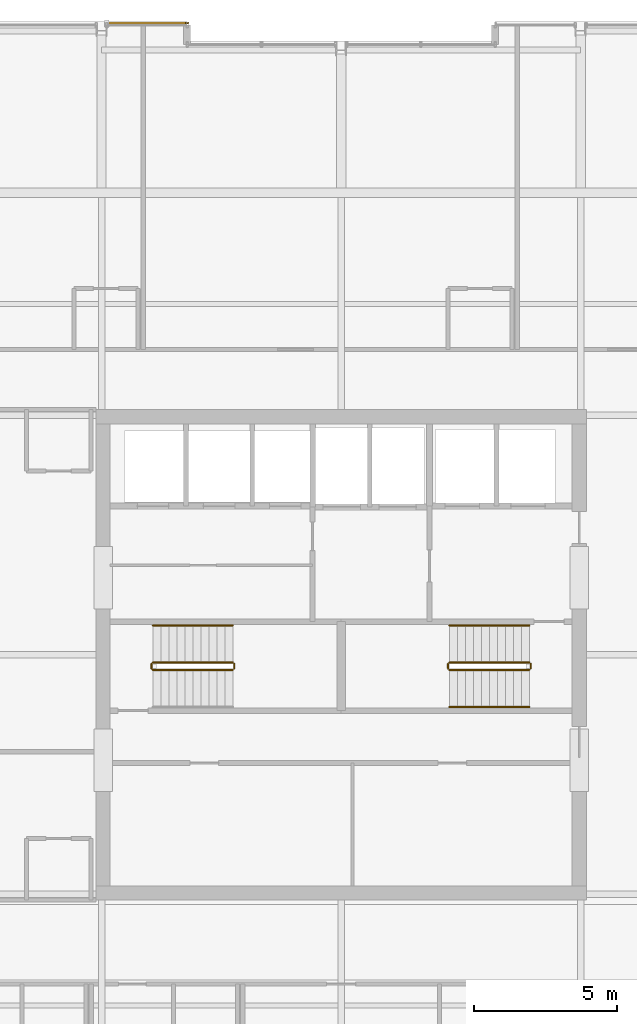
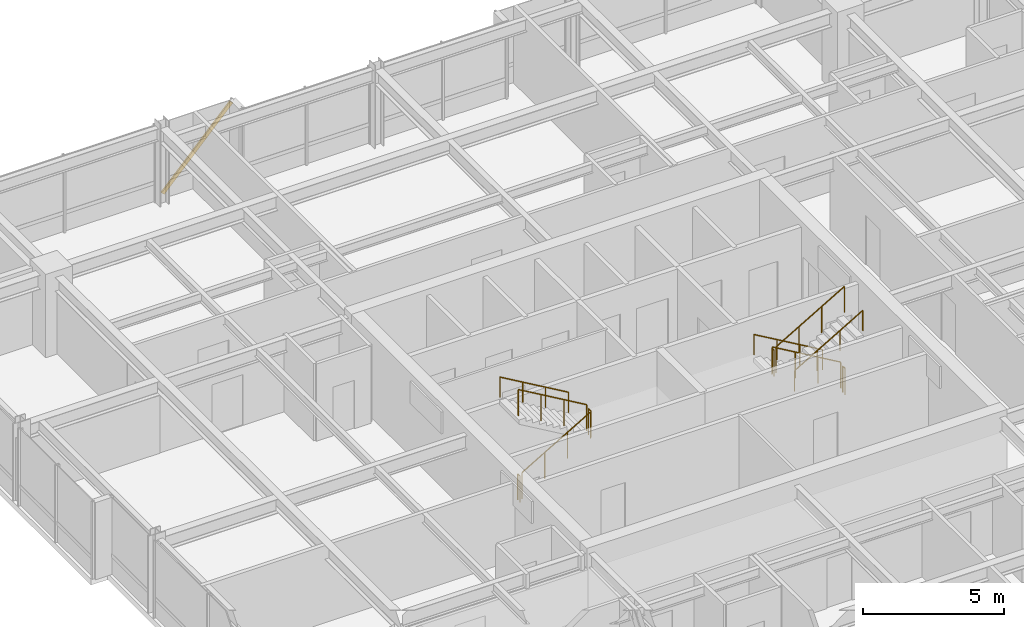
# One storey, part 31 of 31: 11 railings, 1 shading device.
"""IFC4 building model written with IfcOpenShell, lengths in metres."""

from ifc_helpers import new_model, si_unit, direction, frame, origin, origin_2d, place, context, subcontext, project, spatial, hollow_rectangle, circle, extrude, material, material_profile, profile_set, type_object, element, save


model = new_model("IFC4")

# Units and contexts
model_context = context("Model", 3, precision=1e-05, world=origin(), true_north=direction((0.0, 1.0)))
body_context = subcontext(model_context, "Body", "Model", "MODEL_VIEW")
ifc_project = project(units=[si_unit("LENGTHUNIT", "METRE"), si_unit("AREAUNIT", "SQUARE_METRE"), si_unit("VOLUMEUNIT", "CUBIC_METRE"), si_unit("PLANEANGLEUNIT", "RADIAN"), si_unit("MASSUNIT", "GRAM", prefix="KILO")], contexts=[model_context])

# Site, building, storey
site_placement = place(None, origin())
site = spatial("IfcSite", under=ifc_project, at=site_placement, CompositionType="ELEMENT")
building_placement = place(site_placement, origin())
building = spatial("IfcBuilding", under=site, at=building_placement, Name="Drelvath Grand Hotel", CompositionType="ELEMENT")
storey_placement = place(building_placement, frame((0.0, 0.0, 230.300048828125)))
storey = spatial("IfcBuildingStorey", under=building, at=storey_placement, Name="L60", CompositionType="ELEMENT", Elevation=230.300048828125)

# Railings
ifc_material_1 = material(Name="Painted Steel S275", Category="steel")
railing_type_1 = type_object("IfcRailingType", Name="Core Stair Wall Handrail 900", PredefinedType="HANDRAIL", material=ifc_material_1)
railing_1_placement = place(storey_placement, frame((-3.800048828125, 28.030029296875, 1.963623046875)))
element("IfcRailing", 1, at=railing_1_placement, inside=storey, type_object=railing_type_1, Name="L60 ST-1 stair handrail 2", PredefinedType="HANDRAIL", context=body_context, shape_type="SweptSolid", body=[
    extrude(circle(Radius=0.02392578125, at=origin_2d()), frame((0.0, 0.0, 0.8759765625), z_axis=(-0.863393664356, 0.0, 0.504530851732), x_axis=(0.0, -1.0, 0.0)), (0.0, 0.0, 1.0), 3.2431640625),
    extrude(circle(Radius=0.02099609375, at=origin_2d()), origin(), (0.0, 0.0, 1.0), 0.851806640625),
    extrude(circle(Radius=0.02099609375, at=origin_2d()), frame((-0.933349609375, 0.0, 0.54541015625)), (0.0, 0.0, 1.0), 0.851806640625),
    extrude(circle(Radius=0.02099609375, at=origin_2d()), frame((-1.86669921875, 0.0, 1.0908203125)), (0.0, 0.0, 1.0), 0.851806640625),
    extrude(circle(Radius=0.02099609375, at=origin_2d()), frame((-2.800048828125, 0.0, 1.63623046875)), (0.0, 0.0, 1.0), 0.851806640625),
])
railing_2_placement = place(storey_placement, frame((6.60009765625, 28.030029296875, 0.16357421875)))
element("IfcRailing", 2, at=railing_2_placement, inside=storey, type_object=railing_type_1, Name="L60 ST-2 stair handrail 1", PredefinedType="HANDRAIL", context=body_context, shape_type="SweptSolid", body=[
    extrude(circle(Radius=0.02392578125, at=origin_2d()), frame((0.0, 0.0, 0.8759765625), z_axis=(-0.863360870873, 0.0, 0.504586966384), x_axis=(0.0, -1.0, 0.0)), (0.0, 0.0, 1.0), 3.2431640625),
    extrude(circle(Radius=0.02099609375, at=origin_2d()), origin(), (0.0, 0.0, 1.0), 0.851806640625),
    extrude(circle(Radius=0.02099609375, at=origin_2d()), frame((-0.933349609375, 0.0, 0.54541015625)), (0.0, 0.0, 1.0), 0.851806640625),
    extrude(circle(Radius=0.02099609375, at=origin_2d()), frame((-1.86669921875, 0.0, 1.091064453125)), (0.0, 0.0, 1.0), 0.851806640625),
    extrude(circle(Radius=0.02099609375, at=origin_2d()), frame((-2.800048828125, 0.0, 1.636474609375)), (0.0, 0.0, 1.0), 0.851806640625),
])
railing_3_placement = place(storey_placement, frame((3.800048828125, 25.169921875, 1.963623046875)))
element("IfcRailing", 3, at=railing_3_placement, inside=storey, type_object=railing_type_1, Name="L60 ST-2 stair handrail 2", PredefinedType="HANDRAIL", context=body_context, shape_type="SweptSolid", body=[
    extrude(circle(Radius=0.02392578125, at=origin_2d()), frame((0.0, 0.0, 0.8759765625), z_axis=(0.863393664356, 0.0, 0.504530851732), x_axis=(0.0, 1.0, 0.0)), (0.0, 0.0, 1.0), 3.2431640625),
    extrude(circle(Radius=0.02099609375, at=origin_2d()), origin(), (0.0, 0.0, 1.0), 0.851806640625),
    extrude(circle(Radius=0.02099609375, at=origin_2d()), frame((0.933349609375, 0.0, 0.54541015625)), (0.0, 0.0, 1.0), 0.851806640625),
    extrude(circle(Radius=0.02099609375, at=origin_2d()), frame((1.86669921875, 0.0, 1.0908203125)), (0.0, 0.0, 1.0), 0.851806640625),
    extrude(circle(Radius=0.02099609375, at=origin_2d()), frame((2.800048828125, 0.0, 1.63623046875)), (0.0, 0.0, 1.0), 0.851806640625),
])
railing_type_2 = type_object("IfcRailingType", Name="Core Stair Well Guardrail 1100", PredefinedType="GUARDRAIL", material=ifc_material_1)
railing_4_placement = place(storey_placement, frame((-6.60009765625, 26.469970703125, 0.16357421875)))
element("IfcRailing", 4, at=railing_4_placement, inside=storey, type_object=railing_type_2, Name="L60 ST-1 stair guard 1", PredefinedType="GUARDRAIL", context=body_context, shape_type="SweptSolid", body=[
    extrude(circle(Radius=0.02392578125, at=origin_2d()), frame((0.0, 0.0, 1.1259765625), z_axis=(0.863360870873, 0.0, 0.504586966384), x_axis=(0.0, 1.0, 0.0)), (0.0, 0.0, 1.0), 3.2431640625),
    extrude(circle(Radius=0.02099609375, at=origin_2d()), origin(), (0.0, 0.0, 1.0), 1.101806640625),
    extrude(circle(Radius=0.02099609375, at=origin_2d()), frame((0.933349609375, 0.0, 0.54541015625)), (0.0, 0.0, 1.0), 1.101806640625),
    extrude(circle(Radius=0.02099609375, at=origin_2d()), frame((1.86669921875, 0.0, 1.091064453125)), (0.0, 0.0, 1.0), 1.101806640625),
    extrude(circle(Radius=0.02099609375, at=origin_2d()), frame((2.800048828125, 0.0, 1.636474609375)), (0.0, 0.0, 1.0), 1.101806640625),
])
railing_5_placement = place(storey_placement, frame((-3.75, 26.52001953125, 1.800048828125)))
element("IfcRailing", 5, at=railing_5_placement, inside=storey, type_object=railing_type_2, Name="L60 ST-1 stair guard 2", PredefinedType="GUARDRAIL", context=body_context, shape_type="SweptSolid", body=[
    extrude(circle(Radius=0.02392578125, at=origin_2d()), frame((0.0, 0.0, 1.1259765625), z_axis=(0.0, 1.0, 0.0), x_axis=(-1.0, 0.0, 0.0)), (0.0, 0.0, 1.0), 0.159912109375),
    extrude(circle(Radius=0.02099609375, at=origin_2d()), origin(), (0.0, 0.0, 1.0), 1.101806640625),
    extrude(circle(Radius=0.02099609375, at=origin_2d()), frame((0.0, 0.159912109375, 0.0)), (0.0, 0.0, 1.0), 1.101806640625),
])
railing_6_placement = place(storey_placement, frame((-3.800048828125, 26.72998046875, 1.963623046875)))
element("IfcRailing", 6, at=railing_6_placement, inside=storey, type_object=railing_type_2, Name="L60 ST-1 stair guard 3", PredefinedType="GUARDRAIL", context=body_context, shape_type="SweptSolid", body=[
    extrude(circle(Radius=0.02392578125, at=origin_2d()), frame((0.0, 0.0, 1.1259765625), z_axis=(-0.863393664356, 0.0, 0.504530851732), x_axis=(0.0, -1.0, 0.0)), (0.0, 0.0, 1.0), 3.2431640625),
    extrude(circle(Radius=0.02099609375, at=origin_2d()), origin(), (0.0, 0.0, 1.0), 1.101806640625),
    extrude(circle(Radius=0.02099609375, at=origin_2d()), frame((-0.933349609375, 0.0, 0.54541015625)), (0.0, 0.0, 1.0), 1.101806640625),
    extrude(circle(Radius=0.02099609375, at=origin_2d()), frame((-1.86669921875, 0.0, 1.0908203125)), (0.0, 0.0, 1.0), 1.101806640625),
    extrude(circle(Radius=0.02099609375, at=origin_2d()), frame((-2.800048828125, 0.0, 1.63623046875)), (0.0, 0.0, 1.0), 1.101806640625),
])
railing_7_placement = place(storey_placement, frame((-6.64990234375, 26.52001953125, 0.0)))
element("IfcRailing", 7, at=railing_7_placement, inside=storey, type_object=railing_type_2, Name="L60 ST-1 stair guard 4", PredefinedType="GUARDRAIL", context=body_context, shape_type="SweptSolid", body=[
    extrude(circle(Radius=0.02392578125, at=origin_2d()), frame((0.0, 0.0, 1.1259765625), z_axis=(0.0, 1.0, 0.0), x_axis=(-1.0, 0.0, 0.0)), (0.0, 0.0, 1.0), 0.159912109375),
    extrude(circle(Radius=0.02099609375, at=origin_2d()), origin(), (0.0, 0.0, 1.0), 1.101806640625),
    extrude(circle(Radius=0.02099609375, at=origin_2d()), frame((0.0, 0.159912109375, 0.0)), (0.0, 0.0, 1.0), 1.101806640625),
])
railing_8_placement = place(storey_placement, frame((6.60009765625, 26.72998046875, 0.16357421875)))
element("IfcRailing", 8, at=railing_8_placement, inside=storey, type_object=railing_type_2, Name="L60 ST-2 stair guard 1", PredefinedType="GUARDRAIL", context=body_context, shape_type="SweptSolid", body=[
    extrude(circle(Radius=0.02392578125, at=origin_2d()), frame((0.0, 0.0, 1.1259765625), z_axis=(-0.863360870873, 0.0, 0.504586966384), x_axis=(0.0, -1.0, 0.0)), (0.0, 0.0, 1.0), 3.2431640625),
    extrude(circle(Radius=0.02099609375, at=origin_2d()), origin(), (0.0, 0.0, 1.0), 1.101806640625),
    extrude(circle(Radius=0.02099609375, at=origin_2d()), frame((-0.933349609375, 0.0, 0.54541015625)), (0.0, 0.0, 1.0), 1.101806640625),
    extrude(circle(Radius=0.02099609375, at=origin_2d()), frame((-1.86669921875, 0.0, 1.091064453125)), (0.0, 0.0, 1.0), 1.101806640625),
    extrude(circle(Radius=0.02099609375, at=origin_2d()), frame((-2.800048828125, 0.0, 1.636474609375)), (0.0, 0.0, 1.0), 1.101806640625),
])
railing_9_placement = place(storey_placement, frame((3.75, 26.679931640625, 1.800048828125)))
element("IfcRailing", 9, at=railing_9_placement, inside=storey, type_object=railing_type_2, Name="L60 ST-2 stair guard 2", PredefinedType="GUARDRAIL", context=body_context, shape_type="SweptSolid", body=[
    extrude(circle(Radius=0.02392578125, at=origin_2d()), frame((0.0, 0.0, 1.1259765625), z_axis=(0.0, -1.0, 0.0), x_axis=(1.0, 0.0, 0.0)), (0.0, 0.0, 1.0), 0.159912109375),
    extrude(circle(Radius=0.02099609375, at=origin_2d()), origin(), (0.0, 0.0, 1.0), 1.101806640625),
    extrude(circle(Radius=0.02099609375, at=origin_2d()), frame((0.0, -0.159912109375, 0.0)), (0.0, 0.0, 1.0), 1.101806640625),
])
railing_10_placement = place(storey_placement, frame((3.800048828125, 26.469970703125, 1.963623046875)))
element("IfcRailing", 10, at=railing_10_placement, inside=storey, type_object=railing_type_2, Name="L60 ST-2 stair guard 3", PredefinedType="GUARDRAIL", context=body_context, shape_type="SweptSolid", body=[
    extrude(circle(Radius=0.02392578125, at=origin_2d()), frame((0.0, 0.0, 1.1259765625), z_axis=(0.863393664356, 0.0, 0.504530851732), x_axis=(0.0, 1.0, 0.0)), (0.0, 0.0, 1.0), 3.2431640625),
    extrude(circle(Radius=0.02099609375, at=origin_2d()), origin(), (0.0, 0.0, 1.0), 1.101806640625),
    extrude(circle(Radius=0.02099609375, at=origin_2d()), frame((0.933349609375, 0.0, 0.54541015625)), (0.0, 0.0, 1.0), 1.101806640625),
    extrude(circle(Radius=0.02099609375, at=origin_2d()), frame((1.86669921875, 0.0, 1.0908203125)), (0.0, 0.0, 1.0), 1.101806640625),
    extrude(circle(Radius=0.02099609375, at=origin_2d()), frame((2.800048828125, 0.0, 1.63623046875)), (0.0, 0.0, 1.0), 1.101806640625),
])
railing_11_placement = place(storey_placement, frame((6.64990234375, 26.679931640625, 0.0)))
element("IfcRailing", 11, at=railing_11_placement, inside=storey, type_object=railing_type_2, Name="L60 ST-2 stair guard 4", PredefinedType="GUARDRAIL", context=body_context, shape_type="SweptSolid", body=[
    extrude(circle(Radius=0.02392578125, at=origin_2d()), frame((0.0, 0.0, 1.1259765625), z_axis=(0.0, -1.0, 0.0), x_axis=(1.0, 0.0, 0.0)), (0.0, 0.0, 1.0), 0.159912109375),
    extrude(circle(Radius=0.02099609375, at=origin_2d()), origin(), (0.0, 0.0, 1.0), 1.101806640625),
    extrude(circle(Radius=0.02099609375, at=origin_2d()), frame((0.0, -0.159912109375, 0.0)), (0.0, 0.0, 1.0), 1.101806640625),
])

# Shading device
ifc_material_2 = material(Name="Platinum-Mist Anodised Aluminium", Category="aluminium")
ifc_material_profile = material_profile(ifc_material_2, hollow_rectangle(XDim=0.06494140625, YDim=0.159912109375, WallThickness=0.00390625, at=origin_2d()), Name="HSS160X65X4")
ifc_profile_set = profile_set([ifc_material_profile], Name="Platinum-Mist Anodised Aluminium")
shading_device_type = type_object("IfcShadingDeviceType", Name="Diagonal Solar Fin Platinum Anodised HSS160X65X4", PredefinedType="USERDEFINED", material=ifc_profile_set)
shading_device_placement = place(storey_placement, frame((-8.214599609375, 49.159912109375, 0.179931640625), z_axis=(0.686658509865, 0.0, 0.726980117218), x_axis=(0.0, 1.0, 0.0)))
element("IfcShadingDevice", 12, at=shading_device_placement, inside=storey, type_object=shading_device_type, Name="L60 Diagonal Anodised Fin CW05-L60-NW3", ObjectType="FIN", PredefinedType="USERDEFINED", context=body_context, shape_type="SweptSolid", body=[
    extrude(hollow_rectangle(XDim=0.06494140625, YDim=0.159912109375, WallThickness=0.00390625, at=origin_2d()), origin(), (0.0, 0.0, 1.0), 4.09912109375),
])

save(model, "model.ifc")
